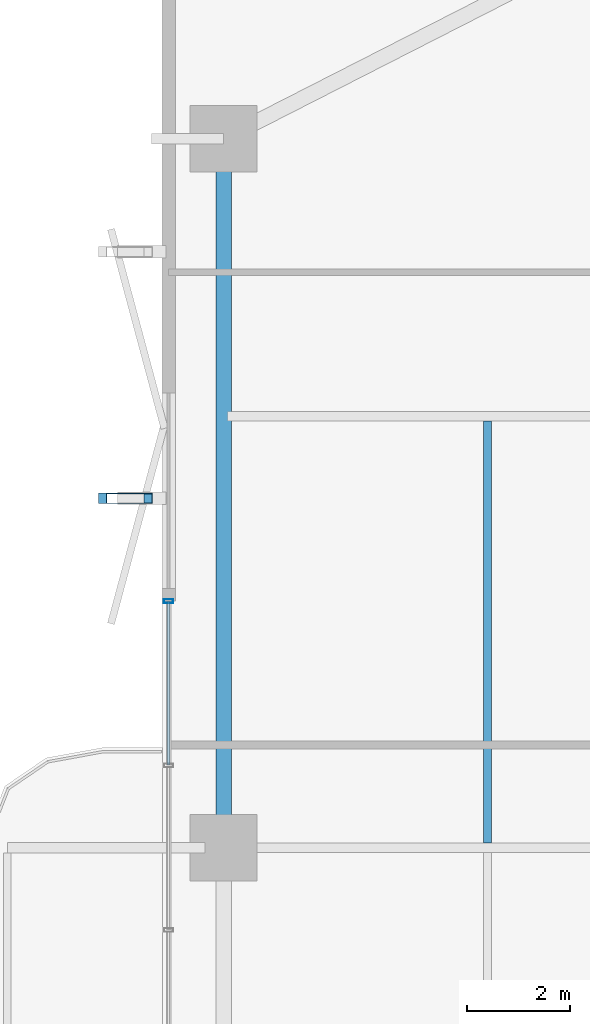
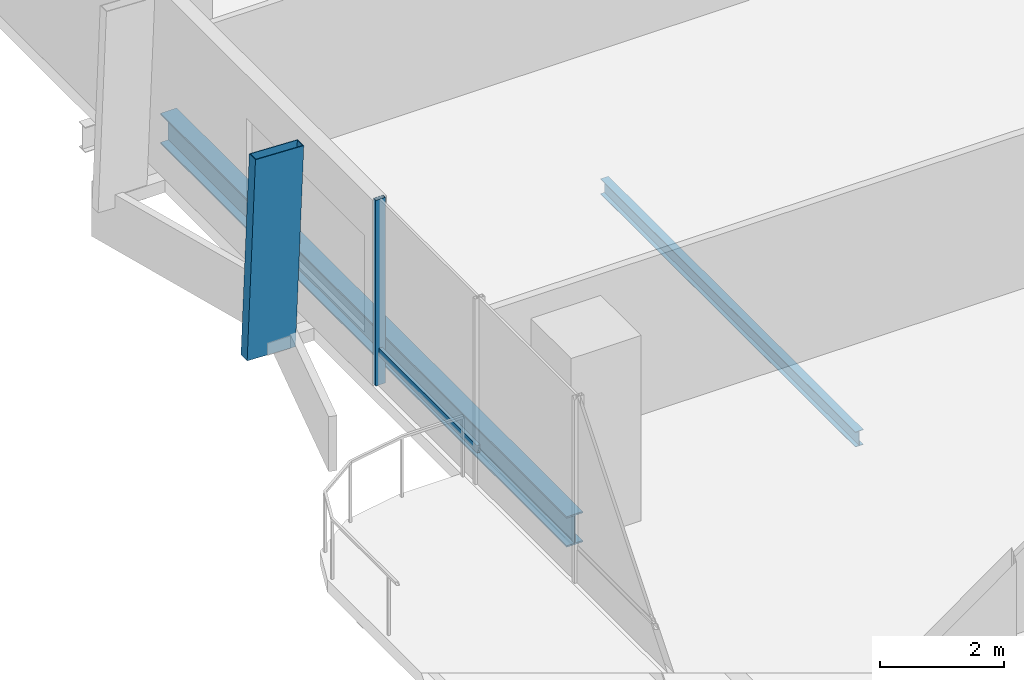
# One storey, part 9 of 24: 3 members, 2 beams, 1 element without a shape of its own.
"""IFC4 building model written with IfcOpenShell, lengths in metres."""

from ifc_helpers import new_model, si_unit, direction, frame, origin, origin_2d, place, context, subcontext, project, spatial, hollow_rectangle, i_section, extrude, material, layer, layer_set, material_profile, profile_set, type_object, element, aggregate, save


model = new_model("IFC4")

# Units and contexts
model_context = context("Model", 3, precision=1e-05, world=origin(), true_north=direction((0.0, 1.0)))
body_context = subcontext(model_context, "Body", "Model", "MODEL_VIEW")
ifc_project = project(units=[si_unit("LENGTHUNIT", "METRE"), si_unit("AREAUNIT", "SQUARE_METRE"), si_unit("VOLUMEUNIT", "CUBIC_METRE"), si_unit("PLANEANGLEUNIT", "RADIAN"), si_unit("MASSUNIT", "GRAM", prefix="KILO")], contexts=[model_context])

# Site, building, storey
site_placement = place(None, origin())
site = spatial("IfcSite", under=ifc_project, at=site_placement, CompositionType="ELEMENT")
building_placement = place(site_placement, origin())
building = spatial("IfcBuilding", under=site, at=building_placement, Name="Belovzor Exchange Tower", CompositionType="ELEMENT")
storey_placement = place(building_placement, frame((0.0, 0.0, 121.199951171875)))
storey = spatial("IfcBuildingStorey", under=building, at=storey_placement, Name="L29", CompositionType="ELEMENT", Elevation=121.199951171875)

# Beam
ifc_material_1 = material(Name="Steel S355", Category="steel")
ifc_material_profile_1 = material_profile(ifc_material_1, i_section(OverallWidth=0.14990234375, OverallDepth=0.300048828125, WebThickness=0.007080078125, FlangeThickness=0.0107421875, at=origin_2d()))
ifc_profile_set_1 = profile_set([ifc_material_profile_1], Name="Steel S355")
beam_type_1 = type_object("IfcBeamType", Name="Secondary Trim Floor Joist IPE 300", PredefinedType="BEAM", material=ifc_profile_set_1)
beam_1_placement = place(storey_placement, frame((9.0390625, 28.89501953125, -0.39990234375), z_axis=(0.0, 1.0, 0.0), x_axis=(-1.0, 0.0, 0.0)))
element("IfcBeam", 1, at=beam_1_placement, inside=storey, type_object=beam_type_1, Name="FJ-300 Secondary Trim Floor Joist IPE 300", PredefinedType="BEAM", context=body_context, shape_type="SweptSolid", body=[
    extrude(i_section(OverallWidth=0.14990234375, OverallDepth=0.300048828125, WebThickness=0.007080078125, FlangeThickness=0.0107421875, at=origin_2d()), origin(), (0.0, 0.0, 1.0), 8.2099609375),
])

# Member
ifc_material_2 = material(Name="Extruded Architectural Terracotta on Steel S355 Carrier", Category="masonry")
ifc_material_profile_2 = material_profile(ifc_material_2, hollow_rectangle(XDim=0.199951171875, YDim=0.89990234375, WallThickness=0.011962890625, at=origin_2d()))
ifc_profile_set_2 = profile_set([ifc_material_profile_2], Name="Extruded Architectural Terracotta on Steel S355 Carrier")
member_type_1 = type_object("IfcMemberType", Name="Sweeping Terracotta Baguette Fin Assembly 1250", PredefinedType="USERDEFINED", material=ifc_profile_set_2)
member_1_placement = place(storey_placement, frame((1.9169921875, 35.60009765625, -0.25), z_axis=(0.039718243113, 0.0, 0.999210919258), x_axis=(0.0, 1.0, 0.0)))
element("IfcMember", 2, at=member_1_placement, inside=storey, type_object=member_type_1, Name="FIN-TC125 Terracotta Facade Fin L29 W3", ObjectType="FIN", PredefinedType="USERDEFINED", context=body_context, shape_type="SweptSolid", body=[
    extrude(hollow_rectangle(XDim=0.199951171875, YDim=0.89990234375, WallThickness=0.011962890625, at=origin_2d()), origin(), (0.0, 0.0, 1.0), 3.9033203125),
])

# Curtain wall, members
ifc_material_3 = material(Name="Anodised Aluminium Framing", Category="aluminium")
ifc_layer = layer(ifc_material_3, 0.179931640625)
ifc_layer_set = layer_set([ifc_layer], Name="Anodised Aluminium Framing")
curtain_wall_type = type_object("IfcCurtainWallType", Name="Recessed Loggia Low-Iron Triple-Glazed Curtain Wall", PredefinedType="NOTDEFINED", material=ifc_layer_set)
curtain_wall_placement = place(storey_placement, origin())
curtain_wall = element("IfcCurtainWall", 3, at=curtain_wall_placement, inside=storey, type_object=curtain_wall_type, Name="CW3 Recessed Loggia Low-Iron Triple-Glazed Curtain Wall L29", PredefinedType="NOTDEFINED")
ifc_material_4 = material(Name="Steel S355", Category="steel")
ifc_material_profile_3 = material_profile(ifc_material_4, hollow_rectangle(XDim=0.074951171875, YDim=0.179931640625, WallThickness=0.0048828125, at=origin_2d()))
ifc_profile_set_3 = profile_set([ifc_material_profile_3], Name="Steel S355")
member_type_2 = type_object("IfcMemberType", Name="Thermally Broken Curtain Wall Mullion 180x75", PredefinedType="MULLION", material=ifc_profile_set_3)
member_2_placement = place(storey_placement, frame((2.830078125, 33.60009765625, 0.0), z_axis=(0.0, 0.0, 1.0), x_axis=(0.0, 1.0, 0.0)))
member_2 = element("IfcMember", 4, at=member_2_placement, type_object=member_type_2, Name="CW-M180 Curtain Wall Mullion 4", PredefinedType="MULLION", context=body_context, shape_type="SweptSolid", body=[
    extrude(hollow_rectangle(XDim=0.074951171875, YDim=0.179931640625, WallThickness=0.0048828125, at=origin_2d()), origin(), (0.0, 0.0, 1.0), 3.650146484375),
])
ifc_material_5 = material(Name="Steel S355", Category="steel")
ifc_material_profile_4 = material_profile(ifc_material_5, hollow_rectangle(XDim=0.06005859375, YDim=0.14990234375, WallThickness=0.00390625, at=origin_2d()))
ifc_profile_set_4 = profile_set([ifc_material_profile_4], Name="Steel S355")
member_type_3 = type_object("IfcMemberType", Name="Thermally Broken Curtain Wall Transom 150x60", PredefinedType="USERDEFINED", material=ifc_profile_set_4)
member_3_placement = place(storey_placement, frame((2.830078125, 30.407958984375, 0.650146484375), z_axis=(0.0, 1.0, 0.0), x_axis=(-1.0, 0.0, 0.0)))
member_3 = element("IfcMember", 5, at=member_3_placement, type_object=member_type_3, Name="CW-T150 Curtain Wall Transom 3", ObjectType="TRANSOM", PredefinedType="USERDEFINED", context=body_context, shape_type="SweptSolid", body=[
    extrude(hollow_rectangle(XDim=0.06005859375, YDim=0.14990234375, WallThickness=0.00390625, at=origin_2d()), origin(), (0.0, 0.0, 1.0), 3.18408203125),
])
aggregate(curtain_wall, [member_2, member_3])

# Beam
ifc_material_6 = material(Name="Steel S355", Category="steel")
ifc_material_profile_5 = material_profile(ifc_material_6, i_section(OverallWidth=0.300048828125, OverallDepth=0.60009765625, WebThickness=0.015380859375, FlangeThickness=0.030029296875, at=origin_2d()))
ifc_profile_set_5 = profile_set([ifc_material_profile_5], Name="Steel S355")
beam_type_2 = type_object("IfcBeamType", Name="Zone 2 Primary Perimeter Girder HEB 600", PredefinedType="BEAM", material=ifc_profile_set_5)
beam_2_placement = place(storey_placement, frame((3.89990234375, 42.241943359375, -0.550048828125), z_axis=(0.0, -1.0, 0.0), x_axis=(1.0, 0.0, 0.0)))
element("IfcBeam", 6, at=beam_2_placement, inside=storey, type_object=beam_type_2, Name="FG-Z2 Zone 2 Primary Perimeter Girder HEB 600", PredefinedType="BEAM", context=body_context, shape_type="SweptSolid", body=[
    extrude(i_section(OverallWidth=0.300048828125, OverallDepth=0.60009765625, WebThickness=0.015380859375, FlangeThickness=0.030029296875, at=origin_2d()), origin(), (0.0, 0.0, 1.0), 13.083984375),
])

save(model, "model.ifc")
